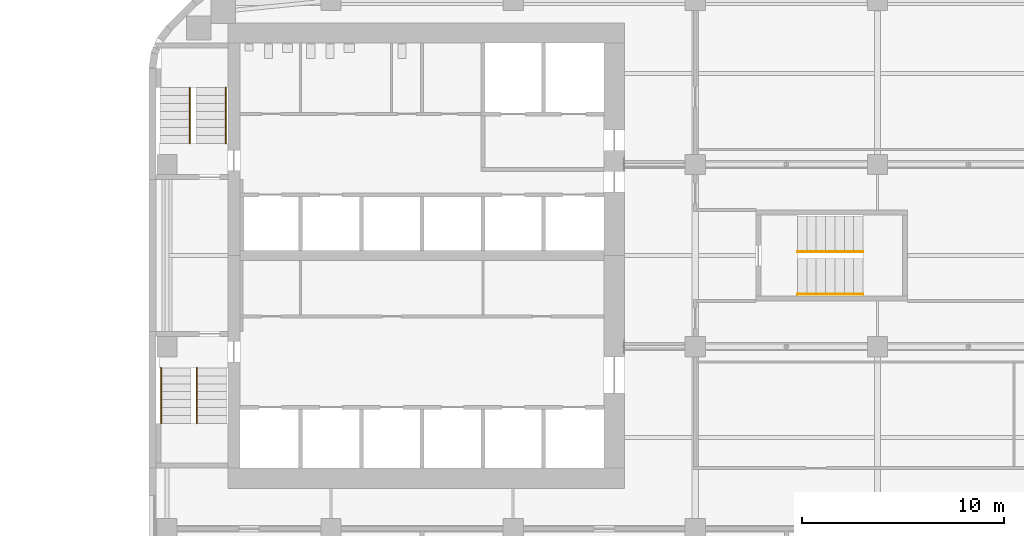
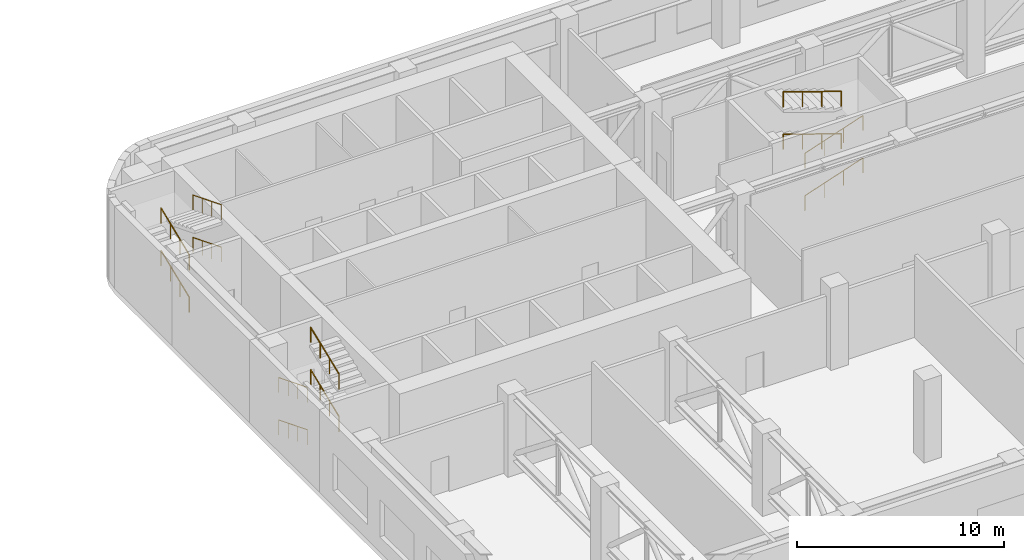
# One storey, part 22 of 23: 12 railings, 3 elements without a shape of their own.
"""IFC4 building model written with IfcOpenShell, lengths in metres."""

from ifc_helpers import new_model, si_unit, direction, frame, origin, origin_2d, place, context, subcontext, project, spatial, circle, extrude, material, type_object, element, aggregate, save


model = new_model("IFC4")

# Units and contexts
model_context = context("Model", 3, precision=1e-05, world=origin(), true_north=direction((0.0, 1.0)))
body_context = subcontext(model_context, "Body", "Model", "MODEL_VIEW")
ifc_project = project(units=[si_unit("LENGTHUNIT", "METRE"), si_unit("AREAUNIT", "SQUARE_METRE"), si_unit("VOLUMEUNIT", "CUBIC_METRE"), si_unit("PLANEANGLEUNIT", "RADIAN"), si_unit("MASSUNIT", "GRAM", prefix="KILO")], contexts=[model_context])

# Site, building, storey
site_placement = place(None, origin())
site = spatial("IfcSite", under=ifc_project, at=site_placement, CompositionType="ELEMENT")
building_placement = place(site_placement, origin())
building = spatial("IfcBuilding", under=site, at=building_placement, Name="Cinnabar Reach Civic Tower", CompositionType="ELEMENT")
storey_placement = place(building_placement, frame((0.0, 0.0, 46.0)))
storey = spatial("IfcBuildingStorey", under=building, at=storey_placement, Name="L10", CompositionType="ELEMENT", Elevation=46.0)

# Stair, railings
ifc_material_1 = material(Name="Concrete C40/50", Category="concrete")
stair_type = type_object("IfcStairType", Name="T1 Exit stair, double return", PredefinedType="DOUBLE_RETURN_STAIR", material=ifc_material_1)
stair_1_placement = place(storey_placement, origin())
stair_1 = element("IfcStair", 1, at=stair_1_placement, inside=storey, type_object=stair_type, Name="Stair T1-S1", PredefinedType="DOUBLE_RETURN_STAIR")
ifc_material_2 = material(Name="Stainless steel tube", Category="steel")
railing_type = type_object("IfcRailingType", Name="T1 Stair handrail, stainless tube 48", PredefinedType="HANDRAIL", material=ifc_material_2)
railing_1_placement = place(storey_placement, frame((0.6, 25.95, 0.1562)))
railing_1 = element("IfcRailing", 2, at=railing_1_placement, type_object=railing_type, Name="T1-S1 handrail 1", PredefinedType="HANDRAIL", context=body_context, shape_type="SweptSolid", body=[
    extrude(circle(Radius=0.024, at=origin_2d()), frame((0.0, 0.0, 0.876), z_axis=(0.0, -0.928966009512, 0.370165035047), x_axis=(1.0, 0.0, 0.0)), (0.0, 0.0, 1.0), 2.9549),
    extrude(circle(Radius=0.021, at=origin_2d()), origin(), (0.0, 0.0, 1.0), 0.852),
    extrude(circle(Radius=0.021, at=origin_2d()), frame((0.0, -0.915, 0.3646)), (0.0, 0.0, 1.0), 0.852),
    extrude(circle(Radius=0.021, at=origin_2d()), frame((0.0, -1.83, 0.7292)), (0.0, 0.0, 1.0), 0.852),
    extrude(circle(Radius=0.021, at=origin_2d()), frame((0.0, -2.745, 1.0938)), (0.0, 0.0, 1.0), 0.852),
])
railing_2_placement = place(storey_placement, frame((2.375, 23.205, 1.4062)))
railing_2 = element("IfcRailing", 3, at=railing_2_placement, type_object=railing_type, Name="T1-S1 handrail 2", PredefinedType="HANDRAIL", context=body_context, shape_type="SweptSolid", body=[
    extrude(circle(Radius=0.024, at=origin_2d()), frame((0.0, 0.0, 0.876), z_axis=(0.0, 0.928966009512, 0.370165035047), x_axis=(-1.0, 0.0, 0.0)), (0.0, 0.0, 1.0), 2.9549),
    extrude(circle(Radius=0.021, at=origin_2d()), origin(), (0.0, 0.0, 1.0), 0.852),
    extrude(circle(Radius=0.021, at=origin_2d()), frame((0.0, 0.915, 0.3646)), (0.0, 0.0, 1.0), 0.852),
    extrude(circle(Radius=0.021, at=origin_2d()), frame((0.0, 1.83, 0.7292)), (0.0, 0.0, 1.0), 0.852),
    extrude(circle(Radius=0.021, at=origin_2d()), frame((0.0, 2.745, 1.0938)), (0.0, 0.0, 1.0), 0.852),
])
railing_3_placement = place(storey_placement, frame((0.6, 25.95, 2.6562)))
railing_3 = element("IfcRailing", 4, at=railing_3_placement, type_object=railing_type, Name="T1-S1 handrail 3", PredefinedType="HANDRAIL", context=body_context, shape_type="SweptSolid", body=[
    extrude(circle(Radius=0.024, at=origin_2d()), frame((0.0, 0.0, 0.876), z_axis=(0.0, -0.928966009512, 0.370165035047), x_axis=(1.0, 0.0, 0.0)), (0.0, 0.0, 1.0), 2.9549),
    extrude(circle(Radius=0.021, at=origin_2d()), origin(), (0.0, 0.0, 1.0), 0.852),
    extrude(circle(Radius=0.021, at=origin_2d()), frame((0.0, -0.915, 0.3646)), (0.0, 0.0, 1.0), 0.852),
    extrude(circle(Radius=0.021, at=origin_2d()), frame((0.0, -1.83, 0.7292)), (0.0, 0.0, 1.0), 0.852),
    extrude(circle(Radius=0.021, at=origin_2d()), frame((0.0, -2.745, 1.0938)), (0.0, 0.0, 1.0), 0.852),
])
railing_4_placement = place(storey_placement, frame((2.375, 23.205, 3.9062)))
railing_4 = element("IfcRailing", 5, at=railing_4_placement, type_object=railing_type, Name="T1-S1 handrail 4", PredefinedType="HANDRAIL", context=body_context, shape_type="SweptSolid", body=[
    extrude(circle(Radius=0.024, at=origin_2d()), frame((0.0, 0.0, 0.876), z_axis=(0.0, 0.928966009512, 0.370165035047), x_axis=(-1.0, 0.0, 0.0)), (0.0, 0.0, 1.0), 2.9549),
    extrude(circle(Radius=0.021, at=origin_2d()), origin(), (0.0, 0.0, 1.0), 0.852),
    extrude(circle(Radius=0.021, at=origin_2d()), frame((0.0, 0.915, 0.3646)), (0.0, 0.0, 1.0), 0.852),
    extrude(circle(Radius=0.021, at=origin_2d()), frame((0.0, 1.83, 0.7292)), (0.0, 0.0, 1.0), 0.852),
    extrude(circle(Radius=0.021, at=origin_2d()), frame((0.0, 2.745, 1.0938)), (0.0, 0.0, 1.0), 0.852),
])
aggregate(stair_1, [railing_1, railing_2, railing_3, railing_4])

stair_2_placement = place(storey_placement, origin())
stair_2 = element("IfcStair", 6, at=stair_2_placement, inside=storey, type_object=stair_type, Name="Stair T1-S2", PredefinedType="DOUBLE_RETURN_STAIR")
railing_5_placement = place(storey_placement, frame((2.025, 37.05, 0.1562)))
railing_5 = element("IfcRailing", 7, at=railing_5_placement, type_object=railing_type, Name="T1-S2 handrail 1", PredefinedType="HANDRAIL", context=body_context, shape_type="SweptSolid", body=[
    extrude(circle(Radius=0.024, at=origin_2d()), frame((0.0, 0.0, 0.876), z_axis=(0.0, 0.928966009512, 0.370165035047), x_axis=(-1.0, 0.0, 0.0)), (0.0, 0.0, 1.0), 2.9549),
    extrude(circle(Radius=0.021, at=origin_2d()), origin(), (0.0, 0.0, 1.0), 0.852),
    extrude(circle(Radius=0.021, at=origin_2d()), frame((0.0, 0.915, 0.3646)), (0.0, 0.0, 1.0), 0.852),
    extrude(circle(Radius=0.021, at=origin_2d()), frame((0.0, 1.83, 0.7292)), (0.0, 0.0, 1.0), 0.852),
    extrude(circle(Radius=0.021, at=origin_2d()), frame((0.0, 2.745, 1.0938)), (0.0, 0.0, 1.0), 0.852),
])
railing_6_placement = place(storey_placement, frame((3.8, 39.795, 1.4062)))
railing_6 = element("IfcRailing", 8, at=railing_6_placement, type_object=railing_type, Name="T1-S2 handrail 2", PredefinedType="HANDRAIL", context=body_context, shape_type="SweptSolid", body=[
    extrude(circle(Radius=0.024, at=origin_2d()), frame((0.0, 0.0, 0.876), z_axis=(0.0, -0.928966009512, 0.370165035047), x_axis=(1.0, 0.0, 0.0)), (0.0, 0.0, 1.0), 2.9549),
    extrude(circle(Radius=0.021, at=origin_2d()), origin(), (0.0, 0.0, 1.0), 0.852),
    extrude(circle(Radius=0.021, at=origin_2d()), frame((0.0, -0.915, 0.3646)), (0.0, 0.0, 1.0), 0.852),
    extrude(circle(Radius=0.021, at=origin_2d()), frame((0.0, -1.83, 0.7292)), (0.0, 0.0, 1.0), 0.852),
    extrude(circle(Radius=0.021, at=origin_2d()), frame((0.0, -2.745, 1.0938)), (0.0, 0.0, 1.0), 0.852),
])
railing_7_placement = place(storey_placement, frame((2.025, 37.05, 2.6562)))
railing_7 = element("IfcRailing", 9, at=railing_7_placement, type_object=railing_type, Name="T1-S2 handrail 3", PredefinedType="HANDRAIL", context=body_context, shape_type="SweptSolid", body=[
    extrude(circle(Radius=0.024, at=origin_2d()), frame((0.0, 0.0, 0.876), z_axis=(0.0, 0.928966009512, 0.370165035047), x_axis=(-1.0, 0.0, 0.0)), (0.0, 0.0, 1.0), 2.9549),
    extrude(circle(Radius=0.021, at=origin_2d()), origin(), (0.0, 0.0, 1.0), 0.852),
    extrude(circle(Radius=0.021, at=origin_2d()), frame((0.0, 0.915, 0.3646)), (0.0, 0.0, 1.0), 0.852),
    extrude(circle(Radius=0.021, at=origin_2d()), frame((0.0, 1.83, 0.7292)), (0.0, 0.0, 1.0), 0.852),
    extrude(circle(Radius=0.021, at=origin_2d()), frame((0.0, 2.745, 1.0938)), (0.0, 0.0, 1.0), 0.852),
])
railing_8_placement = place(storey_placement, frame((3.8, 39.795, 3.9062)))
railing_8 = element("IfcRailing", 10, at=railing_8_placement, type_object=railing_type, Name="T1-S2 handrail 4", PredefinedType="HANDRAIL", context=body_context, shape_type="SweptSolid", body=[
    extrude(circle(Radius=0.024, at=origin_2d()), frame((0.0, 0.0, 0.876), z_axis=(0.0, -0.928966009512, 0.370165035047), x_axis=(1.0, 0.0, 0.0)), (0.0, 0.0, 1.0), 2.9549),
    extrude(circle(Radius=0.021, at=origin_2d()), origin(), (0.0, 0.0, 1.0), 0.852),
    extrude(circle(Radius=0.021, at=origin_2d()), frame((0.0, -0.915, 0.3646)), (0.0, 0.0, 1.0), 0.852),
    extrude(circle(Radius=0.021, at=origin_2d()), frame((0.0, -1.83, 0.7292)), (0.0, 0.0, 1.0), 0.852),
    extrude(circle(Radius=0.021, at=origin_2d()), frame((0.0, -2.745, 1.0938)), (0.0, 0.0, 1.0), 0.852),
])
aggregate(stair_2, [railing_5, railing_6, railing_7, railing_8])

stair_3_placement = place(storey_placement, origin())
stair_3 = element("IfcStair", 11, at=stair_3_placement, inside=storey, type_object=stair_type, Name="Stair T1-S3", PredefinedType="DOUBLE_RETURN_STAIR")
railing_9_placement = place(storey_placement, frame((32.05, 29.6, 0.1562)))
railing_9 = element("IfcRailing", 12, at=railing_9_placement, type_object=railing_type, Name="T1-S3 handrail 1", PredefinedType="HANDRAIL", context=body_context, shape_type="SweptSolid", body=[
    extrude(circle(Radius=0.024, at=origin_2d()), frame((0.0, 0.0, 0.876), z_axis=(0.947465695108, 0.0, 0.319857400404), x_axis=(0.0, 1.0, 0.0)), (0.0, 0.0, 1.0), 3.4196),
    extrude(circle(Radius=0.021, at=origin_2d()), origin(), (0.0, 0.0, 1.0), 0.852),
    extrude(circle(Radius=0.021, at=origin_2d()), frame((1.08, 0.0, 0.3646)), (0.0, 0.0, 1.0), 0.852),
    extrude(circle(Radius=0.021, at=origin_2d()), frame((2.16, 0.0, 0.7292)), (0.0, 0.0, 1.0), 0.852),
    extrude(circle(Radius=0.021, at=origin_2d()), frame((3.24, 0.0, 1.0938)), (0.0, 0.0, 1.0), 0.852),
])
railing_10_placement = place(storey_placement, frame((35.29, 31.7, 1.4062)))
railing_10 = element("IfcRailing", 13, at=railing_10_placement, type_object=railing_type, Name="T1-S3 handrail 2", PredefinedType="HANDRAIL", context=body_context, shape_type="SweptSolid", body=[
    extrude(circle(Radius=0.024, at=origin_2d()), frame((0.0, 0.0, 0.876), z_axis=(-0.947465695108, 0.0, 0.319857400404), x_axis=(0.0, -1.0, 0.0)), (0.0, 0.0, 1.0), 3.4196),
    extrude(circle(Radius=0.021, at=origin_2d()), origin(), (0.0, 0.0, 1.0), 0.852),
    extrude(circle(Radius=0.021, at=origin_2d()), frame((-1.08, 0.0, 0.3646)), (0.0, 0.0, 1.0), 0.852),
    extrude(circle(Radius=0.021, at=origin_2d()), frame((-2.16, 0.0, 0.7292)), (0.0, 0.0, 1.0), 0.852),
    extrude(circle(Radius=0.021, at=origin_2d()), frame((-3.24, 0.0, 1.0938)), (0.0, 0.0, 1.0), 0.852),
])
railing_11_placement = place(storey_placement, frame((32.05, 29.6, 2.6562)))
railing_11 = element("IfcRailing", 14, at=railing_11_placement, type_object=railing_type, Name="T1-S3 handrail 3", PredefinedType="HANDRAIL", context=body_context, shape_type="SweptSolid", body=[
    extrude(circle(Radius=0.024, at=origin_2d()), frame((0.0, 0.0, 0.876), z_axis=(0.947465695108, 0.0, 0.319857400404), x_axis=(0.0, 1.0, 0.0)), (0.0, 0.0, 1.0), 3.4196),
    extrude(circle(Radius=0.021, at=origin_2d()), origin(), (0.0, 0.0, 1.0), 0.852),
    extrude(circle(Radius=0.021, at=origin_2d()), frame((1.08, 0.0, 0.3646)), (0.0, 0.0, 1.0), 0.852),
    extrude(circle(Radius=0.021, at=origin_2d()), frame((2.16, 0.0, 0.7292)), (0.0, 0.0, 1.0), 0.852),
    extrude(circle(Radius=0.021, at=origin_2d()), frame((3.24, 0.0, 1.0938)), (0.0, 0.0, 1.0), 0.852),
])
railing_12_placement = place(storey_placement, frame((35.29, 31.7, 3.9062)))
railing_12 = element("IfcRailing", 15, at=railing_12_placement, type_object=railing_type, Name="T1-S3 handrail 4", PredefinedType="HANDRAIL", context=body_context, shape_type="SweptSolid", body=[
    extrude(circle(Radius=0.024, at=origin_2d()), frame((0.0, 0.0, 0.876), z_axis=(-0.947465695108, 0.0, 0.319857400404), x_axis=(0.0, -1.0, 0.0)), (0.0, 0.0, 1.0), 3.4196),
    extrude(circle(Radius=0.021, at=origin_2d()), origin(), (0.0, 0.0, 1.0), 0.852),
    extrude(circle(Radius=0.021, at=origin_2d()), frame((-1.08, 0.0, 0.3646)), (0.0, 0.0, 1.0), 0.852),
    extrude(circle(Radius=0.021, at=origin_2d()), frame((-2.16, 0.0, 0.7292)), (0.0, 0.0, 1.0), 0.852),
    extrude(circle(Radius=0.021, at=origin_2d()), frame((-3.24, 0.0, 1.0938)), (0.0, 0.0, 1.0), 0.852),
])
aggregate(stair_3, [railing_9, railing_10, railing_11, railing_12])

save(model, "model.ifc")
